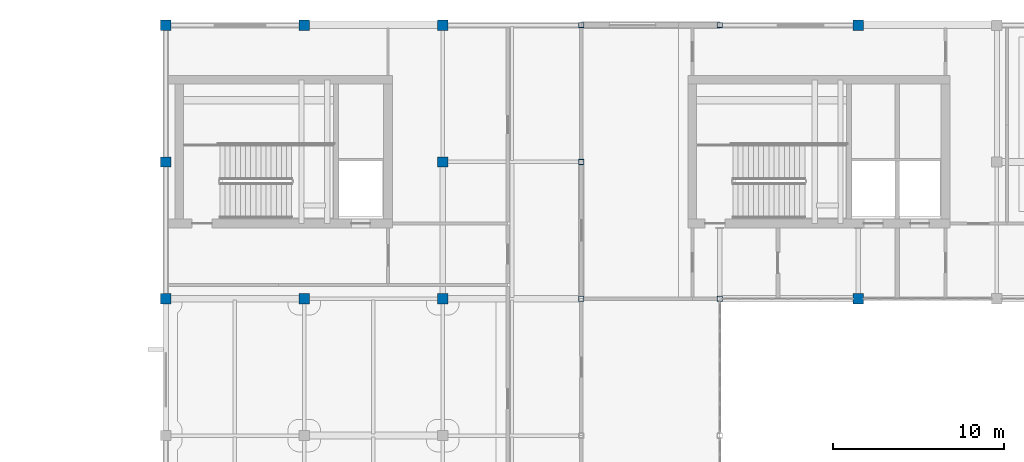
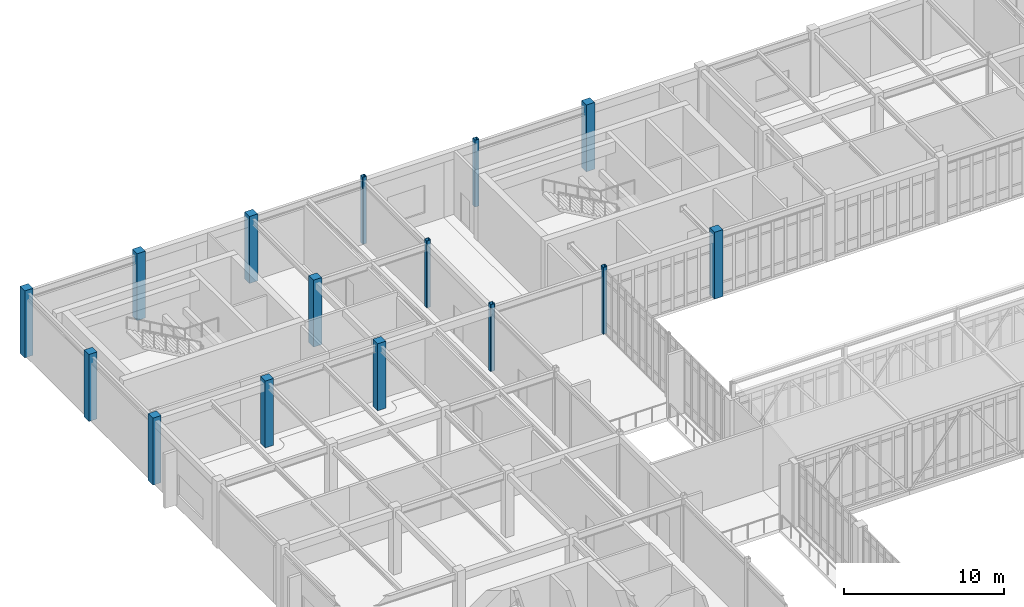
# One storey, part 8 of 107: 15 columns.
"""IFC4 building model written with IfcOpenShell, lengths in metres."""

from ifc_helpers import new_model, si_unit, direction, frame, origin, origin_2d, place, context, subcontext, project, spatial, rectangle, hollow_rectangle, extrude, material, material_profile, profile_set, type_object, element, save


model = new_model("IFC4")

# Units and contexts
model_context = context("Model", 3, precision=1e-05, world=origin(), true_north=direction((0.0, 1.0)))
body_context = subcontext(model_context, "Body", "Model", "MODEL_VIEW")
ifc_project = project(units=[si_unit("LENGTHUNIT", "METRE"), si_unit("AREAUNIT", "SQUARE_METRE"), si_unit("VOLUMEUNIT", "CUBIC_METRE"), si_unit("PLANEANGLEUNIT", "RADIAN"), si_unit("MASSUNIT", "GRAM", prefix="KILO")], contexts=[model_context])

# Site, building, storey
site_placement = place(None, origin())
site = spatial("IfcSite", under=ifc_project, at=site_placement, CompositionType="ELEMENT")
building_placement = place(site_placement, origin())
building = spatial("IfcBuilding", under=site, at=building_placement, Name="Tarnveldt Square Police Headquarters", CompositionType="ELEMENT")
storey_placement = place(building_placement, frame((0.0, 0.0, 14.699951171875)))
storey = spatial("IfcBuildingStorey", under=building, at=storey_placement, Name="L03", CompositionType="ELEMENT", Elevation=14.699951171875)

# Columns
ifc_material_1 = material(Name="Steel 350W", Category="steel")
ifc_material_profile_1 = material_profile(ifc_material_1, hollow_rectangle(XDim=0.3046875, YDim=0.3046875, WallThickness=0.015869140625, InnerFilletRadius=0.015869140625, OuterFilletRadius=0.03173828125, at=origin_2d()), Name="HSS305x305x16")
ifc_profile_set_1 = profile_set([ifc_material_profile_1], Name="Steel 350W")
column_type_1 = type_object("IfcColumnType", Name="COL-HSS305x16", PredefinedType="COLUMN", material=ifc_profile_set_1)
for number, where, z_axis, x_axis, name in (
    (1, (40.5, 96.0, 0.0), (0.0, 0.0, 1.0), (1.0, 0.0, 0.0), "L03 Column 067"),
    (2, (40.5, 104.0, 0.0), (0.0, 0.0, 1.0), (1.0, 0.0, 0.0), "L03 Column 068"),
    (3, (40.5, 112.0, 0.0), (0.0, 0.0, 1.0), (1.0, 0.0, 0.0), "L03 Column 069"),
    (4, (48.60009765625, 96.0, 0.0), (0.0, 0.0, 1.0), (1.0, 0.0, 0.0), "L03 Column 079"),
    (5, (48.60009765625, 112.0, 0.0), (0.0, 0.0, 1.0), (1.0, 0.0, 0.0), "L03 Column 080"),
):
    element("IfcColumn", number, at=place(storey_placement, frame(where, z_axis=z_axis, x_axis=x_axis)), inside=storey, type_object=column_type_1, Name=name, PredefinedType="COLUMN", context=body_context, shape_type="SweptSolid", body=[
        extrude(hollow_rectangle(XDim=0.3046875, YDim=0.3046875, WallThickness=0.015869140625, InnerFilletRadius=0.015869140625, OuterFilletRadius=0.03173828125, at=origin_2d()), origin(), (0.0, 0.0, 1.0), 5.10009765625),
    ])
ifc_material_2 = material(Name="Concrete 40 MPa", Category="concrete")
ifc_material_profile_2 = material_profile(ifc_material_2, rectangle(XDim=0.60009765625, YDim=0.60009765625, at=origin_2d()), Name="RC-C600x600")
ifc_profile_set_2 = profile_set([ifc_material_profile_2], Name="Concrete 40 MPa")
column_type_2 = type_object("IfcColumnType", Name="COL-RC600", PredefinedType="COLUMN", material=ifc_profile_set_2)
for number, where, z_axis, x_axis, name in (
    (6, (16.199951171875, 96.0, 0.0), (0.0, 0.0, 1.0), (1.0, 0.0, 0.0), "L03 Column 025"),
    (7, (16.199951171875, 104.0, 0.0), (0.0, 0.0, 1.0), (1.0, 0.0, 0.0), "L03 Column 026"),
    (8, (16.199951171875, 112.0, 0.0), (0.0, 0.0, 1.0), (1.0, 0.0, 0.0), "L03 Column 027"),
    (9, (24.300048828125, 96.0, 0.0), (0.0, 0.0, 1.0), (1.0, 0.0, 0.0), "L03 Column 037"),
    (10, (24.300048828125, 112.0, 0.0), (0.0, 0.0, 1.0), (1.0, 0.0, 0.0), "L03 Column 038"),
    (11, (32.39990234375, 96.0, 0.0), (0.0, 0.0, 1.0), (1.0, 0.0, 0.0), "L03 Column 053"),
    (12, (32.39990234375, 104.0, 0.0), (0.0, 0.0, 1.0), (1.0, 0.0, 0.0), "L03 Column 054"),
    (13, (32.39990234375, 112.0, 0.0), (0.0, 0.0, 1.0), (1.0, 0.0, 0.0), "L03 Column 055"),
    (14, (56.699951171875, 96.0, 0.0), (0.0, 0.0, 1.0), (1.0, 0.0, 0.0), "L03 Column 092"),
    (15, (56.699951171875, 112.0, 0.0), (0.0, 0.0, 1.0), (1.0, 0.0, 0.0), "L03 Column 093"),
):
    element("IfcColumn", number, at=place(storey_placement, frame(where, z_axis=z_axis, x_axis=x_axis)), inside=storey, type_object=column_type_2, Name=name, PredefinedType="COLUMN", context=body_context, shape_type="SweptSolid", body=[
        extrude(rectangle(XDim=0.60009765625, YDim=0.60009765625, at=origin_2d()), origin(), (0.0, 0.0, 1.0), 5.10009765625),
    ])

save(model, "model.ifc")
